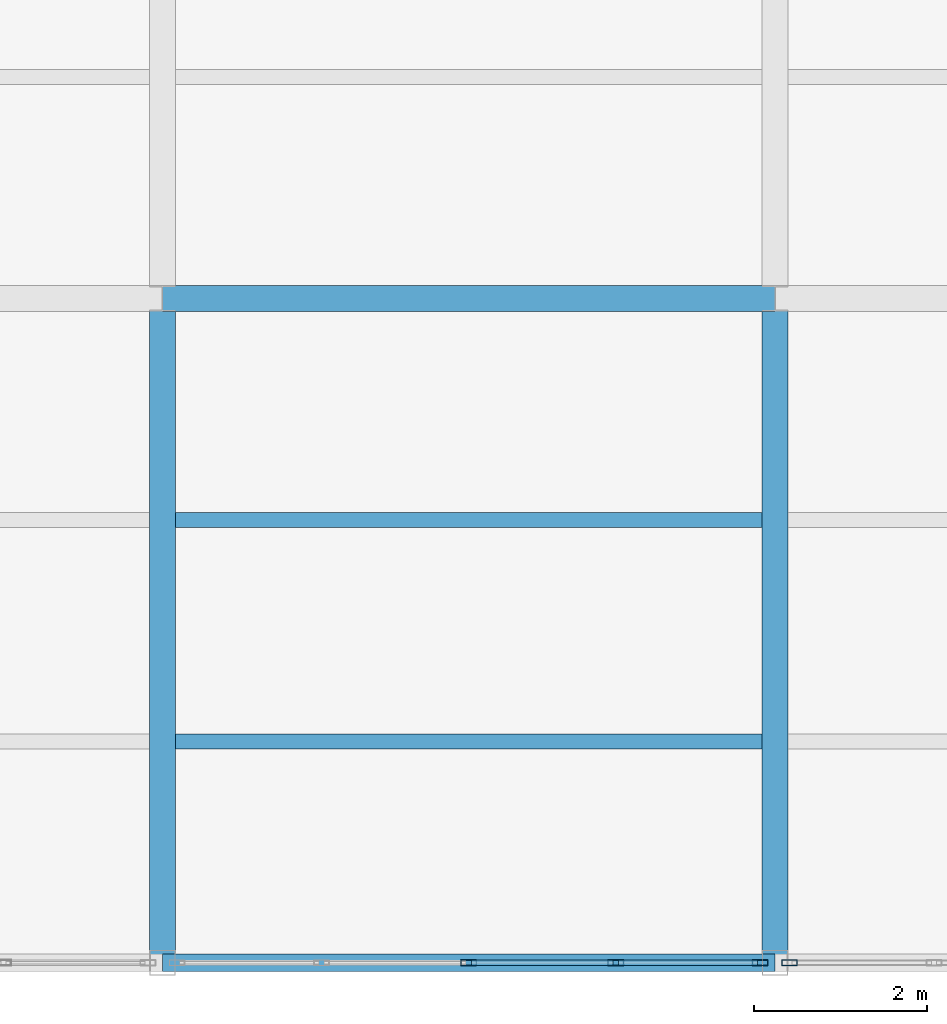
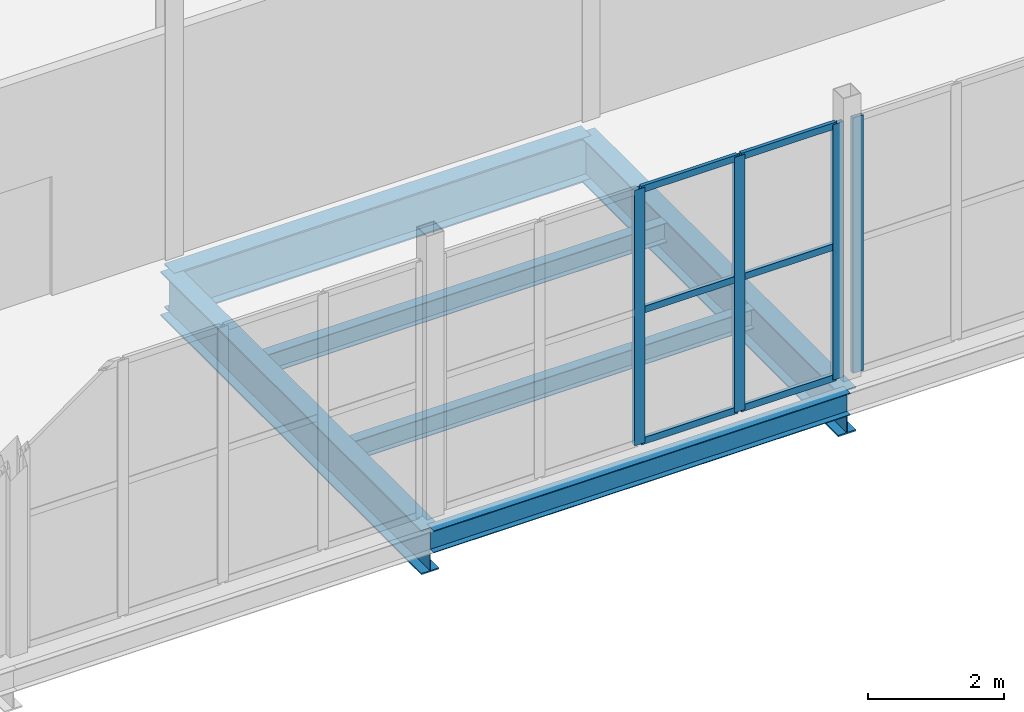
# One storey, part 117 of 218: 10 members, 6 beams, 2 elements without a shape of their own.
"""IFC4 building model written with IfcOpenShell, lengths in metres."""

import ifcopenshell
import ifcopenshell.guid

model = None  # the IFC model being written
_history = None  # IfcOwnerHistory: only IFC2X3 demands one
_inside = {}  # id of a spatial element -> (the spatial element, [elements in it])
_under = {}  # id of a project, library or spatial element -> (it, [spatial elements below it])
_declared = {}  # id of a project -> (the project, [libraries it declares])
_typed = {}  # id of a type object -> (the type object, [elements of that type])
_made_of = {}  # id of a material, layer set ... -> (it, [elements and type objects made of it])


def new_model(schema):
    """Start an empty IFC model of exactly this schema.

    Asked for "IFC4X3", IfcOpenShell would pick the latest addendum, in which some entities
    have other attributes; the version numbers below select the first issue.
    IFC2X3 requires an IfcOwnerHistory on every rooted entity: one is made here for all.
    """
    global model, _history
    if schema == "IFC4X3":
        model = ifcopenshell.file(schema_version=(4, 3, 0, 0))
    else:
        model = ifcopenshell.file(schema=schema)
    _inside.clear()
    _under.clear()
    _declared.clear()
    _typed.clear()
    _made_of.clear()
    _history = None
    if model.schema == "IFC2X3":
        org = make("IfcOrganization", Name="unknown")
        user = make(
            "IfcPersonAndOrganization",
            ThePerson=make("IfcPerson", FamilyName="unknown"),
            TheOrganization=org,
        )
        app = make(
            "IfcApplication",
            ApplicationDeveloper=org,
            Version="unknown",
            ApplicationFullName="unknown",
            ApplicationIdentifier="unknown",
        )
        _history = make(
            "IfcOwnerHistory",
            OwningUser=user,
            OwningApplication=app,
            ChangeAction="ADDED",
            CreationDate=0,
        )
    return model


def make(cls, **values):
    """One entity of the class cls with the attributes given. An attribute that is None is left unset."""
    return model.create_entity(
        cls, **{name: value for name, value in values.items() if value is not None}
    )


def rooted(cls, **values):
    """An entity with a GlobalId (a new one), such as an element, a storey or a relation."""
    return make(cls, GlobalId=ifcopenshell.guid.new(), OwnerHistory=_history, **values)


def si_unit(unit_type, name, prefix=None):
    """IfcSIUnit, for example si_unit("LENGTHUNIT", "METRE", prefix="MILLI")."""
    return make("IfcSIUnit", UnitType=unit_type, Prefix=prefix, Name=name)


def assignment(units):
    """IfcUnitAssignment: the units of a project."""
    return None if units is None else make("IfcUnitAssignment", Units=units)


def point(xyz):
    """IfcCartesianPoint."""
    return None if xyz is None else make("IfcCartesianPoint", Coordinates=xyz)


def direction(xyz):
    """IfcDirection."""
    return None if xyz is None else make("IfcDirection", DirectionRatios=xyz)


def frame(location, z_axis=None, x_axis=None):
    """IfcAxis2Placement3D, a coordinate frame: its origin and axes. An axis left out is left unset."""
    return make(
        "IfcAxis2Placement3D",
        Location=point(location),
        Axis=direction(z_axis),
        RefDirection=direction(x_axis),
    )


def frame_2d(location, x_axis=None):
    """IfcAxis2Placement2D, a coordinate frame in the plane: its origin and x axis."""
    return make(
        "IfcAxis2Placement2D", Location=point(location), RefDirection=direction(x_axis)
    )


def origin():
    """The frame at (0, 0, 0) with its axes left unset."""
    return frame((0.0, 0.0, 0.0))


def origin_2d():
    """The frame at (0, 0) in the plane with its x axis left unset."""
    return frame_2d((0.0, 0.0))


def place(relative_to, where):
    """IfcLocalPlacement: puts the frame where relative to a parent placement (None: the world)."""
    return make(
        "IfcLocalPlacement", PlacementRelTo=relative_to, RelativePlacement=where
    )


def context(
    kind, dimensions, precision=None, world=None, true_north=None, identifier=None
):
    """IfcGeometricRepresentationContext, for example the 3D "Model" context."""
    return make(
        "IfcGeometricRepresentationContext",
        ContextIdentifier=identifier,
        ContextType=kind,
        CoordinateSpaceDimension=dimensions,
        Precision=precision,
        WorldCoordinateSystem=world,
        TrueNorth=true_north,
    )


def subcontext(parent, identifier, kind, view, scale=None):
    """IfcGeometricRepresentationSubContext, for example "Body" below "Model"."""
    return make(
        "IfcGeometricRepresentationSubContext",
        ContextIdentifier=identifier,
        ContextType=kind,
        ParentContext=parent,
        TargetScale=scale,
        TargetView=view,
    )


def project(units=None, contexts=None):
    """IfcProject with its units and contexts."""
    return rooted(
        "IfcProject",
        Name="project",
        RepresentationContexts=contexts,
        UnitsInContext=assignment(units),
    )


def spatial(cls, under=None, at=None, **own):
    """A site, building, storey or space (cls), placed at a placement, below another one or the project."""
    s = rooted(cls, ObjectPlacement=at, **own)
    if under is not None:
        _under.setdefault(under.id(), (under, []))[1].append(s)
    return s


def profile(cls, at=None, kind="AREA", **sizes):
    """A parametric profile (cls). Its sizes go by their IFC names, for example OverallWidth=200.0."""
    return make(cls, ProfileType=kind, Position=at, **sizes)


def hollow_rectangle(**sizes):
    """IfcRectangleHollowProfileDef."""
    return profile("IfcRectangleHollowProfileDef", **sizes)


def i_section(**sizes):
    """IfcIShapeProfileDef."""
    return profile("IfcIShapeProfileDef", **sizes)


def extrude(swept, where, along, depth):
    """IfcExtrudedAreaSolid: the profile swept, set in the frame where, extruded along a direction by depth."""
    return make(
        "IfcExtrudedAreaSolid",
        SweptArea=swept,
        Position=where,
        ExtrudedDirection=direction(along),
        Depth=depth,
    )


def shape(context_of_items, identifier, shape_type, items):
    """IfcShapeRepresentation: the items that make up one representation, for example the "Body"."""
    return make(
        "IfcShapeRepresentation",
        ContextOfItems=context_of_items,
        RepresentationIdentifier=identifier,
        RepresentationType=shape_type,
        Items=items,
    )


def material(Name=None, Category=None):
    """IfcMaterial."""
    return make("IfcMaterial", Name=Name, Category=Category)


def material_profile(
    of_material, cross_section, Name=None, Category=None, Priority=None
):
    """IfcMaterialProfile: a cross section and its material."""
    return make(
        "IfcMaterialProfile",
        Name=Name,
        Material=of_material,
        Profile=cross_section,
        Priority=Priority,
        Category=Category,
    )


def profile_set(profiles, Name=None, composite=None):
    """IfcMaterialProfileSet."""
    return make(
        "IfcMaterialProfileSet",
        Name=Name,
        MaterialProfiles=profiles,
        CompositeProfile=composite,
    )


def made_of(thing, what):
    """Note that an element or type object is made of a material, layer set ...; save() writes the relation."""
    if what is not None:
        _made_of.setdefault(what.id(), (what, []))[1].append(thing)
    return thing


def type_object(cls, material=None, **own):
    """A type object (cls), such as IfcWallType, which elements share."""
    return made_of(rooted(cls, **own), material)


def element(
    cls,
    number,
    at=None,
    inside=None,
    cuts=None,
    type_object=None,
    material=None,
    context=None,
    identifier="Body",
    shape_type=None,
    held_by="IfcProductDefinitionShape",
    body=None,
    shapes=None,
    **own,
):
    """One element of the class cls, such as IfcWall. Its Tag is "e" and its number.

    at: its placement. inside: the storey or other place that contains it. cuts: it is an
    opening in that element (IfcRelVoidsElement). A single representation is given by context,
    identifier, shape_type and body (its items); several are given by shapes. held_by: the class
    of the entity that holds the representations. save() writes the other relations.
    """
    e = rooted(cls, Tag="e%d" % number, ObjectPlacement=at, **own)
    if body is not None:
        shapes = [shape(context, identifier, shape_type, body)]
    if shapes is not None:
        e.Representation = make(held_by, Representations=shapes)
    if inside is not None:
        _inside.setdefault(inside.id(), (inside, []))[1].append(e)
    if cuts is not None:
        rooted(
            "IfcRelVoidsElement", RelatingBuildingElement=cuts, RelatedOpeningElement=e
        )
    if type_object is not None:
        _typed.setdefault(type_object.id(), (type_object, []))[1].append(e)
    return made_of(e, material)


def aggregate(whole, parts):
    """IfcRelAggregates: a whole, such as a stair, and the parts it consists of."""
    return rooted("IfcRelAggregates", RelatingObject=whole, RelatedObjects=parts)


def save(model, path):
    """Write the relations noted so far, then the file.

    IfcRelAggregates (storeys below a building ...), IfcRelContainedInSpatialStructure (elements
    in a storey), IfcRelDefinesByType, IfcRelAssociatesMaterial and IfcRelDeclares: one each for
    every whole, place, type object, material and project.
    """
    for whole, parts in _under.values():
        aggregate(whole, parts)
    for where, things in _inside.values():
        rooted(
            "IfcRelContainedInSpatialStructure",
            RelatedElements=things,
            RelatingStructure=where,
        )
    for kind, things in _typed.values():
        rooted("IfcRelDefinesByType", RelatedObjects=things, RelatingType=kind)
    for what, things in _made_of.values():
        rooted("IfcRelAssociatesMaterial", RelatedObjects=things, RelatingMaterial=what)
    for by, libraries in _declared.values():
        rooted("IfcRelDeclares", RelatingContext=by, RelatedDefinitions=libraries)
    model.write(path)


model = new_model("IFC4")

# Units and contexts
model_context = context("Model", 3, precision=1e-05, world=origin(), true_north=direction((0.0, 1.0)))
body_context = subcontext(model_context, "Body", "Model", "MODEL_VIEW")
ifc_project = project(units=[si_unit("LENGTHUNIT", "METRE"), si_unit("AREAUNIT", "SQUARE_METRE"), si_unit("VOLUMEUNIT", "CUBIC_METRE"), si_unit("PLANEANGLEUNIT", "RADIAN"), si_unit("MASSUNIT", "GRAM", prefix="KILO")], contexts=[model_context])

# Site, building, storey
site_placement = place(None, origin())
site = spatial("IfcSite", under=ifc_project, at=site_placement, CompositionType="ELEMENT")
building_placement = place(site_placement, origin())
building = spatial("IfcBuilding", under=site, at=building_placement, Name="Kazenagashi Tramway Depot", CompositionType="ELEMENT")
storey_placement = place(building_placement, frame((0.0, 0.0, 6.0)))
storey = spatial("IfcBuildingStorey", under=building, at=storey_placement, Name="L02", CompositionType="ELEMENT", Elevation=6.0)

# Beams
ifc_material_1 = material(Name="Steel SN490B", Category="steel")
ifc_material_profile_1 = material_profile(ifc_material_1, i_section(OverallWidth=0.3, OverallDepth=0.8, WebThickness=0.014, FlangeThickness=0.026, at=origin_2d()), Name="H-800x300x14x26")
ifc_profile_set_1 = profile_set([ifc_material_profile_1], Name="Steel SN490B")
beam_type_1 = type_object("IfcBeamType", Name="G-07", PredefinedType="BEAM", material=ifc_profile_set_1)
beam_1_placement = place(storey_placement, frame((167.6, 7.7, -0.68), z_axis=(1.0, 0.0, 0.0), x_axis=(0.0, 1.0, 0.0)))
element("IfcBeam", 1, at=beam_1_placement, inside=storey, type_object=beam_type_1, Name="Beam G-07 BM-1192", PredefinedType="BEAM", context=body_context, shape_type="SweptSolid", body=[
    extrude(i_section(OverallWidth=0.3, OverallDepth=0.8, WebThickness=0.014, FlangeThickness=0.026, at=origin_2d()), origin(), (0.0, 0.0, 1.0), 7.1),
])
for number, where, z_axis, x_axis, name in (
    (2, (167.6, 0.0, -0.68), (0.0, 1.0, 0.0), (-1.0, 0.0, 0.0), "Beam G-07 BM-1283"),
    (3, (174.7, 0.0, -0.68), (0.0, 1.0, 0.0), (-1.0, 0.0, 0.0), "Beam G-07 BM-1310"),
):
    element("IfcBeam", number, at=place(storey_placement, frame(where, z_axis=z_axis, x_axis=x_axis)), inside=storey, type_object=beam_type_1, Name=name, PredefinedType="BEAM", context=body_context, shape_type="SweptSolid", body=[
        extrude(i_section(OverallWidth=0.3, OverallDepth=0.8, WebThickness=0.014, FlangeThickness=0.026, at=origin_2d()), origin(), (0.0, 0.0, 1.0), 7.7),
    ])
ifc_material_2 = material(Name="Steel SN400B", Category="steel")
ifc_material_profile_2 = material_profile(ifc_material_2, i_section(OverallWidth=0.175, OverallDepth=0.35, WebThickness=0.007, FlangeThickness=0.011, at=origin_2d()), Name="H-350x175x7x11")
ifc_profile_set_2 = profile_set([ifc_material_profile_2], Name="Steel SN400B")
beam_type_2 = type_object("IfcBeamType", Name="J-01", PredefinedType="JOIST", material=ifc_profile_set_2)
for number, where, z_axis, x_axis, name in (
    (4, (167.75, 2.567, -0.455), (1.0, 0.0, 0.0), (0.0, 1.0, 0.0), "Beam J-01 BM-1284"),
    (5, (167.75, 5.133, -0.455), (1.0, 0.0, 0.0), (0.0, 1.0, 0.0), "Beam J-01 BM-1285"),
):
    element("IfcBeam", number, at=place(storey_placement, frame(where, z_axis=z_axis, x_axis=x_axis)), inside=storey, type_object=beam_type_2, Name=name, PredefinedType="JOIST", context=body_context, shape_type="SweptSolid", body=[
        extrude(i_section(OverallWidth=0.175, OverallDepth=0.35, WebThickness=0.007, FlangeThickness=0.011, at=origin_2d()), origin(), (0.0, 0.0, 1.0), 6.8),
    ])

# Curtain wall, members
ifc_material_3 = material(Name="Anodised Aluminium and Low-E Glazing", Category="aluminium")
curtain_wall_type = type_object("IfcCurtainWallType", Name="CW-22", PredefinedType="USERDEFINED", material=ifc_material_3)
curtain_wall_1_placement = place(storey_placement, origin())
curtain_wall_1 = element("IfcCurtainWall", 6, at=curtain_wall_1_placement, inside=storey, type_object=curtain_wall_type, Name="Industrial Glazed Screen CW-22 CW-0122", ObjectType="GLAZED SCREEN", PredefinedType="USERDEFINED")
ifc_material_4 = material(Name="Anodised Aluminium", Category="aluminium")
ifc_material_profile_3 = material_profile(ifc_material_4, hollow_rectangle(XDim=0.07, YDim=0.18, WallThickness=0.005, at=origin_2d()), Name="RHS-180x70x5")
ifc_profile_set_3 = profile_set([ifc_material_profile_3], Name="Anodised Aluminium")
member_type_1 = type_object("IfcMemberType", Name="ML-02", PredefinedType="MULLION", material=ifc_profile_set_3)
member_1_placement = place(storey_placement, frame((171.15, 0.0, 0.0), z_axis=(0.0, 0.0, 1.0), x_axis=(0.0, 1.0, 0.0)))
member_1 = element("IfcMember", 7, at=member_1_placement, type_object=member_type_1, Name="CW-22 mullion 3", PredefinedType="MULLION", context=body_context, shape_type="SweptSolid", body=[
    extrude(hollow_rectangle(XDim=0.07, YDim=0.18, WallThickness=0.005, at=origin_2d()), origin(), (0.0, 0.0, 1.0), 4.6),
])
member_2_placement = place(storey_placement, frame((172.855, 0.0, 0.0), z_axis=(0.0, 0.0, 1.0), x_axis=(0.0, 1.0, 0.0)))
member_2 = element("IfcMember", 8, at=member_2_placement, type_object=member_type_1, Name="CW-22 mullion 4", PredefinedType="MULLION", context=body_context, shape_type="SweptSolid", body=[
    extrude(hollow_rectangle(XDim=0.07, YDim=0.18, WallThickness=0.005, at=origin_2d()), origin(), (0.0, 0.0, 1.0), 4.6),
])
member_3_placement = place(storey_placement, frame((174.53, 0.0, 0.0), z_axis=(0.0, 0.0, 1.0), x_axis=(0.0, 1.0, 0.0)))
member_3 = element("IfcMember", 9, at=member_3_placement, type_object=member_type_1, Name="CW-22 mullion 5", PredefinedType="MULLION", context=body_context, shape_type="SweptSolid", body=[
    extrude(hollow_rectangle(XDim=0.07, YDim=0.18, WallThickness=0.005, at=origin_2d()), origin(), (0.0, 0.0, 1.0), 4.6),
])

# Curtain wall, member
curtain_wall_2_placement = place(storey_placement, origin())
curtain_wall_2 = element("IfcCurtainWall", 10, at=curtain_wall_2_placement, inside=storey, type_object=curtain_wall_type, Name="Industrial Glazed Screen CW-22 CW-0123", ObjectType="GLAZED SCREEN", PredefinedType="USERDEFINED")
member_4_placement = place(storey_placement, frame((174.87, 0.0, 0.0), z_axis=(0.0, 0.0, 1.0), x_axis=(0.0, 1.0, 0.0)))
member_4 = element("IfcMember", 11, at=member_4_placement, type_object=member_type_1, Name="CW-22 mullion 1", PredefinedType="MULLION", context=body_context, shape_type="SweptSolid", body=[
    extrude(hollow_rectangle(XDim=0.07, YDim=0.18, WallThickness=0.005, at=origin_2d()), origin(), (0.0, 0.0, 1.0), 4.6),
])
aggregate(curtain_wall_2, [member_4])

# Beam
ifc_material_profile_4 = material_profile(ifc_material_1, i_section(OverallWidth=0.2, OverallDepth=0.4, WebThickness=0.008, FlangeThickness=0.013, at=origin_2d()), Name="H-400x200x8x13")
ifc_profile_set_4 = profile_set([ifc_material_profile_4], Name="Steel SN490B")
beam_type_3 = type_object("IfcBeamType", Name="SP-04", PredefinedType="SPANDREL", material=ifc_profile_set_4)
beam_2_placement = place(storey_placement, frame((167.6, 0.0, -0.48), z_axis=(1.0, 0.0, 0.0), x_axis=(0.0, 1.0, 0.0)))
element("IfcBeam", 12, at=beam_2_placement, inside=storey, type_object=beam_type_3, Name="Beam SP-04 BM-1187", PredefinedType="SPANDREL", context=body_context, shape_type="SweptSolid", body=[
    extrude(i_section(OverallWidth=0.2, OverallDepth=0.4, WebThickness=0.008, FlangeThickness=0.013, at=origin_2d()), origin(), (0.0, 0.0, 1.0), 7.1),
])

# Member
ifc_material_profile_5 = material_profile(ifc_material_4, hollow_rectangle(XDim=0.06, YDim=0.12, WallThickness=0.004, at=origin_2d()), Name="RHS-120x60x4")
ifc_profile_set_5 = profile_set([ifc_material_profile_5], Name="Anodised Aluminium")
member_type_2 = type_object("IfcMemberType", Name="TR-01", PredefinedType="USERDEFINED", material=ifc_profile_set_5)
member_5_placement = place(storey_placement, frame((171.18, 0.0, 0.03), z_axis=(1.0, 0.0, 0.0), x_axis=(0.0, 1.0, 0.0)))
member_5 = element("IfcMember", 13, at=member_5_placement, type_object=member_type_2, Name="CW-22 transom 3.1", ObjectType="TRANSOM", PredefinedType="USERDEFINED", context=body_context, shape_type="SweptSolid", body=[
    extrude(hollow_rectangle(XDim=0.06, YDim=0.12, WallThickness=0.004, at=origin_2d()), origin(), (0.0, 0.0, 1.0), 1.645),
])

member_6_placement = place(storey_placement, frame((171.18, 0.0, 2.392), z_axis=(1.0, 0.0, 0.0), x_axis=(0.0, 1.0, 0.0)))
member_6 = element("IfcMember", 14, at=member_6_placement, type_object=member_type_2, Name="CW-22 transom 3.2", ObjectType="TRANSOM", PredefinedType="USERDEFINED", context=body_context, shape_type="SweptSolid", body=[
    extrude(hollow_rectangle(XDim=0.06, YDim=0.12, WallThickness=0.004, at=origin_2d()), origin(), (0.0, 0.0, 1.0), 1.645),
])

member_7_placement = place(storey_placement, frame((171.18, 0.0, 4.57), z_axis=(1.0, 0.0, 0.0), x_axis=(0.0, 1.0, 0.0)))
member_7 = element("IfcMember", 15, at=member_7_placement, type_object=member_type_2, Name="CW-22 transom 3.3", ObjectType="TRANSOM", PredefinedType="USERDEFINED", context=body_context, shape_type="SweptSolid", body=[
    extrude(hollow_rectangle(XDim=0.06, YDim=0.12, WallThickness=0.004, at=origin_2d()), origin(), (0.0, 0.0, 1.0), 1.645),
])

member_8_placement = place(storey_placement, frame((172.885, 0.0, 0.03), z_axis=(1.0, 0.0, 0.0), x_axis=(0.0, 1.0, 0.0)))
member_8 = element("IfcMember", 16, at=member_8_placement, type_object=member_type_2, Name="CW-22 transom 4.1", ObjectType="TRANSOM", PredefinedType="USERDEFINED", context=body_context, shape_type="SweptSolid", body=[
    extrude(hollow_rectangle(XDim=0.06, YDim=0.12, WallThickness=0.004, at=origin_2d()), origin(), (0.0, 0.0, 1.0), 1.615),
])

member_9_placement = place(storey_placement, frame((172.885, 0.0, 2.392), z_axis=(1.0, 0.0, 0.0), x_axis=(0.0, 1.0, 0.0)))
member_9 = element("IfcMember", 17, at=member_9_placement, type_object=member_type_2, Name="CW-22 transom 4.2", ObjectType="TRANSOM", PredefinedType="USERDEFINED", context=body_context, shape_type="SweptSolid", body=[
    extrude(hollow_rectangle(XDim=0.06, YDim=0.12, WallThickness=0.004, at=origin_2d()), origin(), (0.0, 0.0, 1.0), 1.615),
])

member_10_placement = place(storey_placement, frame((172.885, 0.0, 4.57), z_axis=(1.0, 0.0, 0.0), x_axis=(0.0, 1.0, 0.0)))
member_10 = element("IfcMember", 18, at=member_10_placement, type_object=member_type_2, Name="CW-22 transom 4.3", ObjectType="TRANSOM", PredefinedType="USERDEFINED", context=body_context, shape_type="SweptSolid", body=[
    extrude(hollow_rectangle(XDim=0.06, YDim=0.12, WallThickness=0.004, at=origin_2d()), origin(), (0.0, 0.0, 1.0), 1.615),
])

aggregate(curtain_wall_1, [member_1, member_2, member_3, member_5, member_6, member_7, member_8, member_9, member_10])

save(model, "model.ifc")
